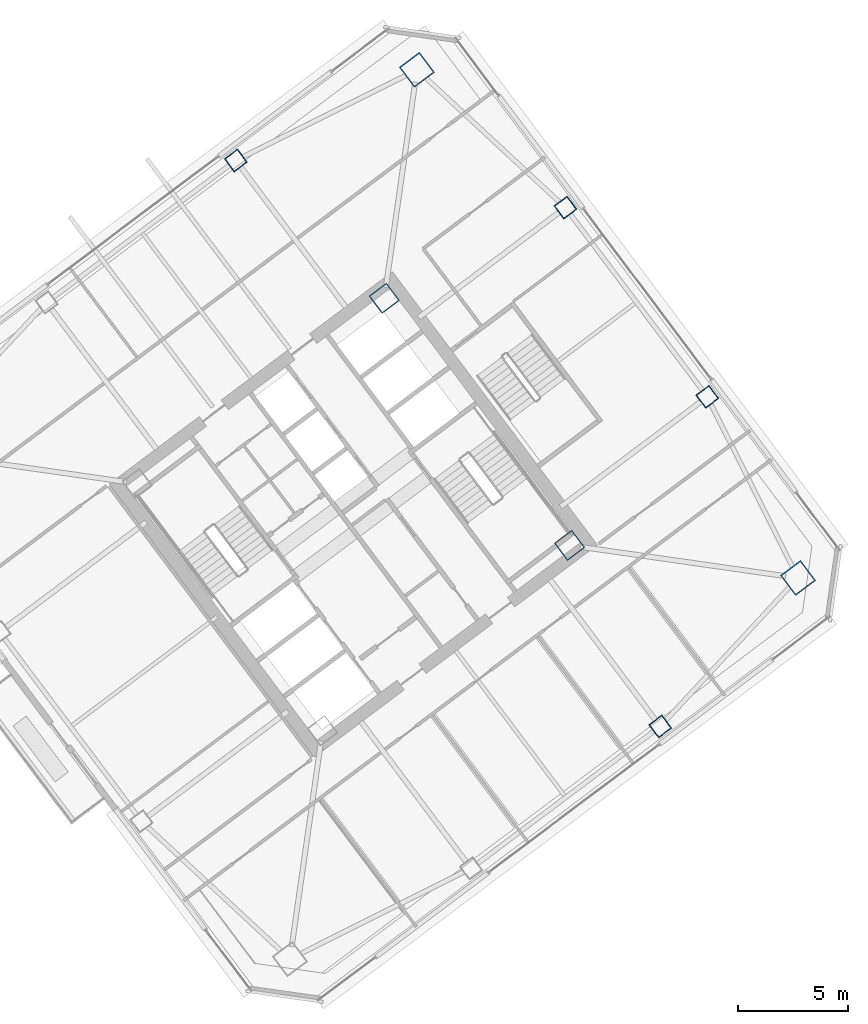
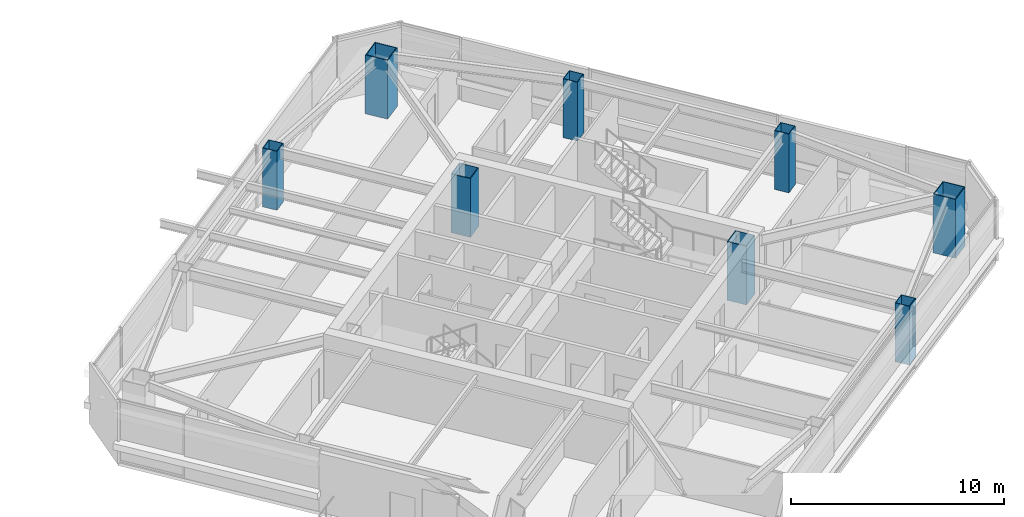
# One storey, part 2 of 41: 8 columns.
"""IFC4 building model written with IfcOpenShell, lengths in metres."""

from ifc_helpers import new_model, si_unit, direction, frame, origin, origin_2d, place, context, subcontext, project, spatial, hollow_rectangle, extrude, material, material_profile, profile_set, type_object, element, save


model = new_model("IFC4")

# Units and contexts
model_context = context("Model", 3, precision=1e-05, world=origin(), true_north=direction((0.0, 1.0)))
body_context = subcontext(model_context, "Body", "Model", "MODEL_VIEW")
ifc_project = project(units=[si_unit("LENGTHUNIT", "METRE"), si_unit("AREAUNIT", "SQUARE_METRE"), si_unit("VOLUMEUNIT", "CUBIC_METRE"), si_unit("PLANEANGLEUNIT", "RADIAN"), si_unit("MASSUNIT", "GRAM", prefix="KILO")], contexts=[model_context])

# Site, building, storey
site_placement = place(None, origin())
site = spatial("IfcSite", under=ifc_project, at=site_placement, CompositionType="ELEMENT")
building_placement = place(site_placement, origin())
building = spatial("IfcBuilding", under=site, at=building_placement, Name="Tashvorn Skyway Center", CompositionType="ELEMENT")
storey_placement = place(building_placement, frame((0.0, 0.0, 174.75)))
storey = spatial("IfcBuildingStorey", under=building, at=storey_placement, Name="L47", CompositionType="ELEMENT", Elevation=174.75)

# Columns
ifc_material = material(Name="Steel ASTM A572 Grade 50", Category="steel")
ifc_material_profile_1 = material_profile(ifc_material, hollow_rectangle(XDim=1.0, YDim=1.0, WallThickness=0.0400390625, at=origin_2d()), Name="BOX1000x1000x40")
ifc_profile_set_1 = profile_set([ifc_material_profile_1], Name="Steel ASTM A572 Grade 50")
column_type_1 = type_object("IfcColumnType", Name="COL-BOX1000x1000x40", PredefinedType="COLUMN", material=ifc_profile_set_1)
for number, where, z_axis, x_axis, name in (
    (1, (123.8701171875, 30.590087890625, 0.0), (0.0, 0.0, 1.0), (0.799999996291, 0.600000004945, 0.0), "Tower 2 L47 Core Corner Column CC-SE"),
    (2, (115.409912109375, 41.8701171875, 0.0), (0.0, 0.0, 1.0), (0.799999996291, 0.600000004945, 0.0), "Tower 2 L47 Core Corner Column CC-NE"),
):
    element("IfcColumn", number, at=place(storey_placement, frame(where, z_axis=z_axis, x_axis=x_axis)), inside=storey, type_object=column_type_1, Name=name, PredefinedType="COLUMN", context=body_context, shape_type="SweptSolid", body=[
        extrude(hollow_rectangle(XDim=1.0, YDim=1.0, WallThickness=0.0400390625, at=origin_2d()), origin(), (0.0, 0.0, 1.0), 3.3701171875),
    ])
ifc_material_profile_2 = material_profile(ifc_material, hollow_rectangle(XDim=1.14990234375, YDim=1.14990234375, WallThickness=0.044921875, at=origin_2d()), Name="BOX1150x1150x45")
ifc_profile_set_2 = profile_set([ifc_material_profile_2], Name="Steel ASTM A572 Grade 50")
column_type_2 = type_object("IfcColumnType", Name="COL-BOX1150x1150x45", PredefinedType="COLUMN", material=ifc_profile_set_2)
for number, where, z_axis, x_axis, name in (
    (3, (134.300048828125, 29.10009765625, 0.0), (0.0, 0.0, 1.0), (0.799999996291, 0.600000004945, 0.0), "Tower 2 L47 Mega-Column MC-SE"),
    (4, (116.89990234375, 52.300048828125, 0.0), (0.0, 0.0, 1.0), (0.799999996291, 0.600000004945, 0.0), "Tower 2 L47 Mega-Column MC-NE"),
):
    element("IfcColumn", number, at=place(storey_placement, frame(where, z_axis=z_axis, x_axis=x_axis)), inside=storey, type_object=column_type_2, Name=name, PredefinedType="COLUMN", context=body_context, shape_type="SweptSolid", body=[
        extrude(hollow_rectangle(XDim=1.14990234375, YDim=1.14990234375, WallThickness=0.044921875, at=origin_2d()), origin(), (0.0, 0.0, 1.0), 3.3701171875),
    ])
ifc_material_profile_3 = material_profile(ifc_material, hollow_rectangle(XDim=0.75, YDim=0.75, WallThickness=0.031982421875, at=origin_2d()), Name="BOX750x750x32")
ifc_profile_set_3 = profile_set([ifc_material_profile_3], Name="Steel ASTM A572 Grade 50")
column_type_3 = type_object("IfcColumnType", Name="COL-BOX750x750x32", PredefinedType="COLUMN", material=ifc_profile_set_3)
for number, where, z_axis, x_axis, name in (
    (5, (128.010009765625, 22.320068359375, 0.0), (0.0, 0.0, 1.0), (0.799999996291, 0.600000004945, 0.0), "Tower 2 L47 Perimeter Column FC-S2"),
    (6, (130.159912109375, 37.3701171875, 0.0), (0.0, 0.0, 1.0), (0.799999996291, 0.600000004945, 0.0), "Tower 2 L47 Perimeter Column FC-E1"),
    (7, (123.679931640625, 46.010009765625, 0.0), (0.0, 0.0, 1.0), (0.799999996291, 0.600000004945, 0.0), "Tower 2 L47 Perimeter Column FC-E2"),
    (8, (108.6298828125, 48.159912109375, 0.0), (0.0, 0.0, 1.0), (0.799999996291, 0.600000004945, 0.0), "Tower 2 L47 Perimeter Column FC-N1"),
):
    element("IfcColumn", number, at=place(storey_placement, frame(where, z_axis=z_axis, x_axis=x_axis)), inside=storey, type_object=column_type_3, Name=name, PredefinedType="COLUMN", context=body_context, shape_type="SweptSolid", body=[
        extrude(hollow_rectangle(XDim=0.75, YDim=0.75, WallThickness=0.031982421875, at=origin_2d()), origin(), (0.0, 0.0, 1.0), 3.3701171875),
    ])

save(model, "model.ifc")
